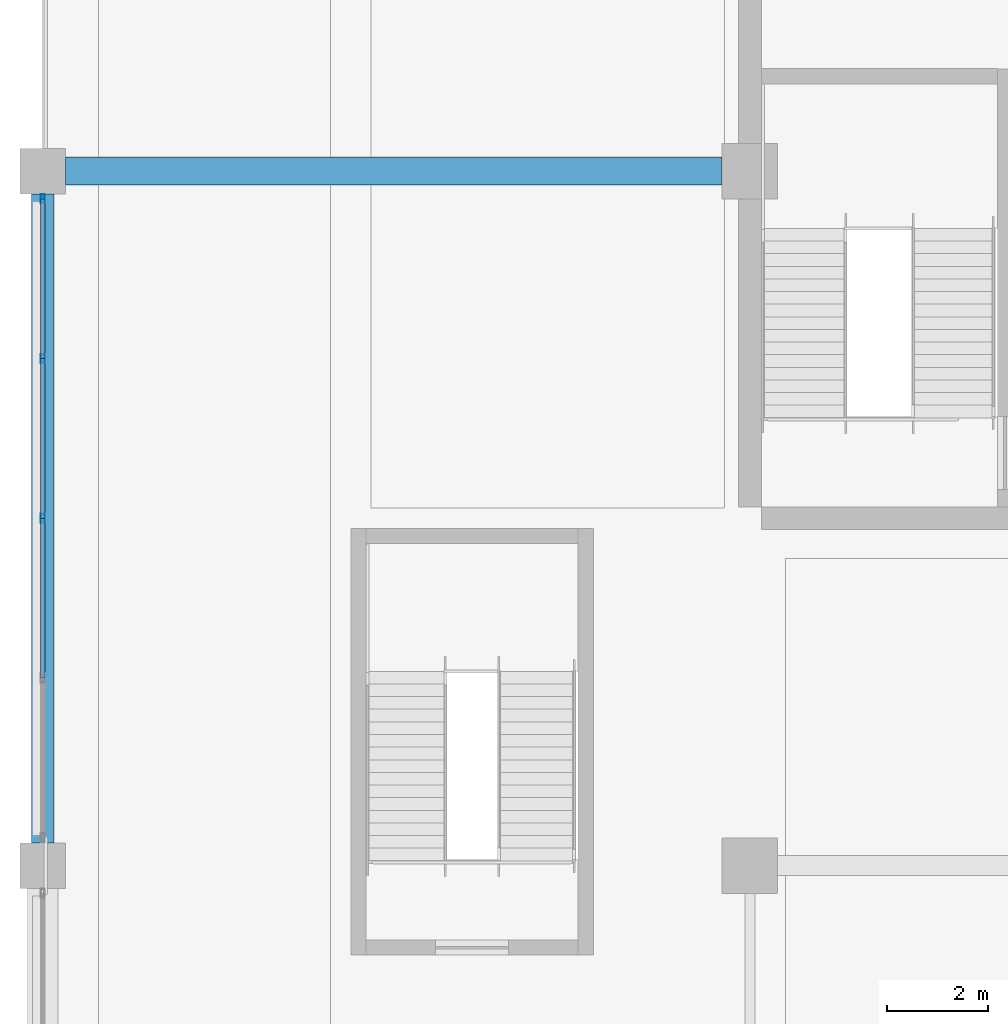
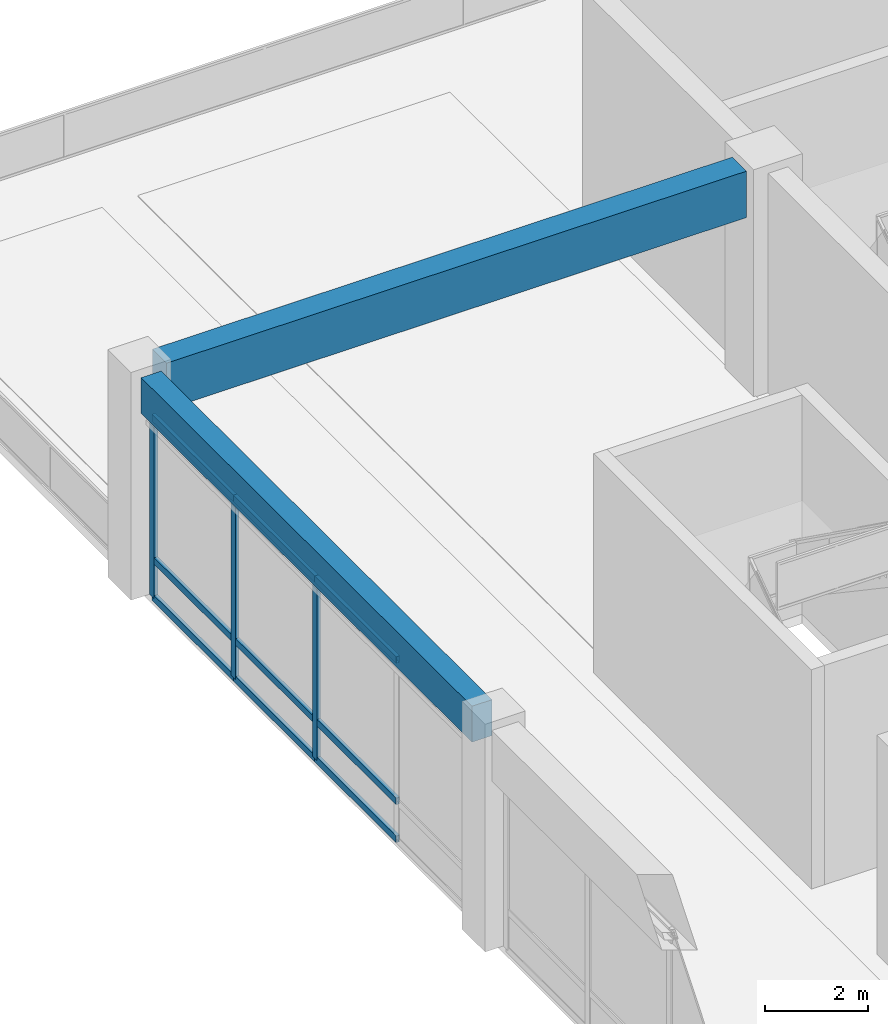
# One storey, part 62 of 117: 12 members, 2 beams, 1 element without a shape of its own.
"""IFC4 building model written with IfcOpenShell, lengths in metres."""

import ifcopenshell
import ifcopenshell.guid

model = None  # the IFC model being written
_history = None  # IfcOwnerHistory: only IFC2X3 demands one
_inside = {}  # id of a spatial element -> (the spatial element, [elements in it])
_under = {}  # id of a project, library or spatial element -> (it, [spatial elements below it])
_declared = {}  # id of a project -> (the project, [libraries it declares])
_typed = {}  # id of a type object -> (the type object, [elements of that type])
_made_of = {}  # id of a material, layer set ... -> (it, [elements and type objects made of it])


def new_model(schema):
    """Start an empty IFC model of exactly this schema.

    Asked for "IFC4X3", IfcOpenShell would pick the latest addendum, in which some entities
    have other attributes; the version numbers below select the first issue.
    IFC2X3 requires an IfcOwnerHistory on every rooted entity: one is made here for all.
    """
    global model, _history
    if schema == "IFC4X3":
        model = ifcopenshell.file(schema_version=(4, 3, 0, 0))
    else:
        model = ifcopenshell.file(schema=schema)
    _inside.clear()
    _under.clear()
    _declared.clear()
    _typed.clear()
    _made_of.clear()
    _history = None
    if model.schema == "IFC2X3":
        org = make("IfcOrganization", Name="unknown")
        user = make(
            "IfcPersonAndOrganization",
            ThePerson=make("IfcPerson", FamilyName="unknown"),
            TheOrganization=org,
        )
        app = make(
            "IfcApplication",
            ApplicationDeveloper=org,
            Version="unknown",
            ApplicationFullName="unknown",
            ApplicationIdentifier="unknown",
        )
        _history = make(
            "IfcOwnerHistory",
            OwningUser=user,
            OwningApplication=app,
            ChangeAction="ADDED",
            CreationDate=0,
        )
    return model


def make(cls, **values):
    """One entity of the class cls with the attributes given. An attribute that is None is left unset."""
    return model.create_entity(
        cls, **{name: value for name, value in values.items() if value is not None}
    )


def rooted(cls, **values):
    """An entity with a GlobalId (a new one), such as an element, a storey or a relation."""
    return make(cls, GlobalId=ifcopenshell.guid.new(), OwnerHistory=_history, **values)


def si_unit(unit_type, name, prefix=None):
    """IfcSIUnit, for example si_unit("LENGTHUNIT", "METRE", prefix="MILLI")."""
    return make("IfcSIUnit", UnitType=unit_type, Prefix=prefix, Name=name)


def assignment(units):
    """IfcUnitAssignment: the units of a project."""
    return None if units is None else make("IfcUnitAssignment", Units=units)


def point(xyz):
    """IfcCartesianPoint."""
    return None if xyz is None else make("IfcCartesianPoint", Coordinates=xyz)


def direction(xyz):
    """IfcDirection."""
    return None if xyz is None else make("IfcDirection", DirectionRatios=xyz)


def frame(location, z_axis=None, x_axis=None):
    """IfcAxis2Placement3D, a coordinate frame: its origin and axes. An axis left out is left unset."""
    return make(
        "IfcAxis2Placement3D",
        Location=point(location),
        Axis=direction(z_axis),
        RefDirection=direction(x_axis),
    )


def frame_2d(location, x_axis=None):
    """IfcAxis2Placement2D, a coordinate frame in the plane: its origin and x axis."""
    return make(
        "IfcAxis2Placement2D", Location=point(location), RefDirection=direction(x_axis)
    )


def origin():
    """The frame at (0, 0, 0) with its axes left unset."""
    return frame((0.0, 0.0, 0.0))


def origin_2d():
    """The frame at (0, 0) in the plane with its x axis left unset."""
    return frame_2d((0.0, 0.0))


def place(relative_to, where):
    """IfcLocalPlacement: puts the frame where relative to a parent placement (None: the world)."""
    return make(
        "IfcLocalPlacement", PlacementRelTo=relative_to, RelativePlacement=where
    )


def context(
    kind, dimensions, precision=None, world=None, true_north=None, identifier=None
):
    """IfcGeometricRepresentationContext, for example the 3D "Model" context."""
    return make(
        "IfcGeometricRepresentationContext",
        ContextIdentifier=identifier,
        ContextType=kind,
        CoordinateSpaceDimension=dimensions,
        Precision=precision,
        WorldCoordinateSystem=world,
        TrueNorth=true_north,
    )


def subcontext(parent, identifier, kind, view, scale=None):
    """IfcGeometricRepresentationSubContext, for example "Body" below "Model"."""
    return make(
        "IfcGeometricRepresentationSubContext",
        ContextIdentifier=identifier,
        ContextType=kind,
        ParentContext=parent,
        TargetScale=scale,
        TargetView=view,
    )


def project(units=None, contexts=None):
    """IfcProject with its units and contexts."""
    return rooted(
        "IfcProject",
        Name="project",
        RepresentationContexts=contexts,
        UnitsInContext=assignment(units),
    )


def spatial(cls, under=None, at=None, **own):
    """A site, building, storey or space (cls), placed at a placement, below another one or the project."""
    s = rooted(cls, ObjectPlacement=at, **own)
    if under is not None:
        _under.setdefault(under.id(), (under, []))[1].append(s)
    return s


def profile(cls, at=None, kind="AREA", **sizes):
    """A parametric profile (cls). Its sizes go by their IFC names, for example OverallWidth=200.0."""
    return make(cls, ProfileType=kind, Position=at, **sizes)


def rectangle(**sizes):
    """IfcRectangleProfileDef."""
    return profile("IfcRectangleProfileDef", **sizes)


def hollow_rectangle(**sizes):
    """IfcRectangleHollowProfileDef."""
    return profile("IfcRectangleHollowProfileDef", **sizes)


def extrude(swept, where, along, depth):
    """IfcExtrudedAreaSolid: the profile swept, set in the frame where, extruded along a direction by depth."""
    return make(
        "IfcExtrudedAreaSolid",
        SweptArea=swept,
        Position=where,
        ExtrudedDirection=direction(along),
        Depth=depth,
    )


def shape(context_of_items, identifier, shape_type, items):
    """IfcShapeRepresentation: the items that make up one representation, for example the "Body"."""
    return make(
        "IfcShapeRepresentation",
        ContextOfItems=context_of_items,
        RepresentationIdentifier=identifier,
        RepresentationType=shape_type,
        Items=items,
    )


def material(Name=None, Category=None):
    """IfcMaterial."""
    return make("IfcMaterial", Name=Name, Category=Category)


def material_profile(
    of_material, cross_section, Name=None, Category=None, Priority=None
):
    """IfcMaterialProfile: a cross section and its material."""
    return make(
        "IfcMaterialProfile",
        Name=Name,
        Material=of_material,
        Profile=cross_section,
        Priority=Priority,
        Category=Category,
    )


def profile_set(profiles, Name=None, composite=None):
    """IfcMaterialProfileSet."""
    return make(
        "IfcMaterialProfileSet",
        Name=Name,
        MaterialProfiles=profiles,
        CompositeProfile=composite,
    )


def made_of(thing, what):
    """Note that an element or type object is made of a material, layer set ...; save() writes the relation."""
    if what is not None:
        _made_of.setdefault(what.id(), (what, []))[1].append(thing)
    return thing


def type_object(cls, material=None, **own):
    """A type object (cls), such as IfcWallType, which elements share."""
    return made_of(rooted(cls, **own), material)


def element(
    cls,
    number,
    at=None,
    inside=None,
    cuts=None,
    type_object=None,
    material=None,
    context=None,
    identifier="Body",
    shape_type=None,
    held_by="IfcProductDefinitionShape",
    body=None,
    shapes=None,
    **own,
):
    """One element of the class cls, such as IfcWall. Its Tag is "e" and its number.

    at: its placement. inside: the storey or other place that contains it. cuts: it is an
    opening in that element (IfcRelVoidsElement). A single representation is given by context,
    identifier, shape_type and body (its items); several are given by shapes. held_by: the class
    of the entity that holds the representations. save() writes the other relations.
    """
    e = rooted(cls, Tag="e%d" % number, ObjectPlacement=at, **own)
    if body is not None:
        shapes = [shape(context, identifier, shape_type, body)]
    if shapes is not None:
        e.Representation = make(held_by, Representations=shapes)
    if inside is not None:
        _inside.setdefault(inside.id(), (inside, []))[1].append(e)
    if cuts is not None:
        rooted(
            "IfcRelVoidsElement", RelatingBuildingElement=cuts, RelatedOpeningElement=e
        )
    if type_object is not None:
        _typed.setdefault(type_object.id(), (type_object, []))[1].append(e)
    return made_of(e, material)


def aggregate(whole, parts):
    """IfcRelAggregates: a whole, such as a stair, and the parts it consists of."""
    return rooted("IfcRelAggregates", RelatingObject=whole, RelatedObjects=parts)


def save(model, path):
    """Write the relations noted so far, then the file.

    IfcRelAggregates (storeys below a building ...), IfcRelContainedInSpatialStructure (elements
    in a storey), IfcRelDefinesByType, IfcRelAssociatesMaterial and IfcRelDeclares: one each for
    every whole, place, type object, material and project.
    """
    for whole, parts in _under.values():
        aggregate(whole, parts)
    for where, things in _inside.values():
        rooted(
            "IfcRelContainedInSpatialStructure",
            RelatedElements=things,
            RelatingStructure=where,
        )
    for kind, things in _typed.values():
        rooted("IfcRelDefinesByType", RelatedObjects=things, RelatingType=kind)
    for what, things in _made_of.values():
        rooted("IfcRelAssociatesMaterial", RelatedObjects=things, RelatingMaterial=what)
    for by, libraries in _declared.values():
        rooted("IfcRelDeclares", RelatingContext=by, RelatedDefinitions=libraries)
    model.write(path)


model = new_model("IFC4")

# Units and contexts
model_context = context("Model", 3, precision=1e-05, world=origin(), true_north=direction((0.0, 1.0)))
body_context = subcontext(model_context, "Body", "Model", "MODEL_VIEW")
ifc_project = project(units=[si_unit("LENGTHUNIT", "METRE"), si_unit("AREAUNIT", "SQUARE_METRE"), si_unit("VOLUMEUNIT", "CUBIC_METRE"), si_unit("PLANEANGLEUNIT", "RADIAN"), si_unit("MASSUNIT", "GRAM", prefix="KILO")], contexts=[model_context])

# Site, building, storey
site_placement = place(None, origin())
site = spatial("IfcSite", under=ifc_project, at=site_placement, CompositionType="ELEMENT")
building_placement = place(site_placement, origin())
building = spatial("IfcBuilding", under=site, at=building_placement, Name="Linyun Crest Stadium", CompositionType="ELEMENT")
storey_placement = place(building_placement, frame((0.0, 0.0, 6.0)))
storey = spatial("IfcBuildingStorey", under=building, at=storey_placement, Name="L02", CompositionType="ELEMENT", Elevation=6.0)

# Beam
ifc_material_1 = material(Name="Concrete C40", Category="concrete")
ifc_material_profile_1 = material_profile(ifc_material_1, rectangle(XDim=0.449951171875, YDim=0.85009765625, at=origin_2d()), Name="RCB 850x450")
ifc_profile_set_1 = profile_set([ifc_material_profile_1], Name="Concrete C40")
beam_type_1 = type_object("IfcBeamType", Name="B04", PredefinedType="BEAM", material=ifc_profile_set_1)
beam_1_placement = place(storey_placement, frame((-98.0, 30.074951171875, 4.77490234375), z_axis=(0.0, 1.0, 0.0), x_axis=(-1.0, 0.0, 0.0)))
element("IfcBeam", 1, at=beam_1_placement, inside=storey, type_object=beam_type_1, Name="Frame beam B04 L02 204", PredefinedType="BEAM", context=body_context, shape_type="SweptSolid", body=[
    extrude(rectangle(XDim=0.449951171875, YDim=0.85009765625, at=origin_2d()), origin(), (0.0, 0.0, 1.0), 12.85009765625),
])

# Curtain wall, members
ifc_material_2 = material(Name="Verdigris steel and low-E curtain wall assembly", Category="steel")
curtain_wall_type = type_object("IfcCurtainWallType", Name="MCW01", PredefinedType="NOTDEFINED", material=ifc_material_2)
curtain_wall_placement = place(storey_placement, origin())
curtain_wall = element("IfcCurtainWall", 2, at=curtain_wall_placement, inside=storey, type_object=curtain_wall_type, Name="CWR-118", PredefinedType="NOTDEFINED")
ifc_material_3 = material(Name="Verdigris painted steel Q355B mullion", Category="steel")
ifc_material_profile_2 = material_profile(ifc_material_3, hollow_rectangle(XDim=0.080078125, YDim=0.179931640625, WallThickness=0.006103515625, at=origin_2d()), Name="RHS 180x80x6")
ifc_profile_set_2 = profile_set([ifc_material_profile_2], Name="Verdigris painted steel Q355B mullion")
member_type_1 = type_object("IfcMemberType", Name="ML02", PredefinedType="MULLION", material=ifc_profile_set_2)
member_1_placement = place(storey_placement, frame((-98.0, 36.5, 0.0), z_axis=(0.0, 0.0, 1.0), x_axis=(-1.0, 0.0, 0.0)))
member_1 = element("IfcMember", 3, at=member_1_placement, type_object=member_type_1, Name="CWR-118 mullion 3", PredefinedType="MULLION", context=body_context, shape_type="SweptSolid", body=[
    extrude(hollow_rectangle(XDim=0.080078125, YDim=0.179931640625, WallThickness=0.006103515625, at=origin_2d()), origin(), (0.0, 0.0, 1.0), 4.25),
])
member_2_placement = place(storey_placement, frame((-98.0, 39.662109375, 0.0), z_axis=(0.0, 0.0, 1.0), x_axis=(-1.0, 0.0, 0.0)))
member_2 = element("IfcMember", 4, at=member_2_placement, type_object=member_type_1, Name="CWR-118 mullion 4", PredefinedType="MULLION", context=body_context, shape_type="SweptSolid", body=[
    extrude(hollow_rectangle(XDim=0.080078125, YDim=0.179931640625, WallThickness=0.006103515625, at=origin_2d()), origin(), (0.0, 0.0, 1.0), 4.25),
])
member_3_placement = place(storey_placement, frame((-98.0, 42.824951171875, 0.0), z_axis=(0.0, 0.0, 1.0), x_axis=(-1.0, 0.0, 0.0)))
member_3 = element("IfcMember", 5, at=member_3_placement, type_object=member_type_1, Name="CWR-118 mullion 5", PredefinedType="MULLION", context=body_context, shape_type="SweptSolid", body=[
    extrude(hollow_rectangle(XDim=0.080078125, YDim=0.179931640625, WallThickness=0.006103515625, at=origin_2d()), origin(), (0.0, 0.0, 1.0), 4.25),
])

# Beam
ifc_material_4 = material(Name="Concrete C50", Category="concrete")
ifc_material_profile_3 = material_profile(ifc_material_4, rectangle(XDim=0.550048828125, YDim=1.10009765625, at=origin_2d()), Name="RCB 1100x550")
ifc_profile_set_3 = profile_set([ifc_material_profile_3], Name="Concrete C50")
beam_type_2 = type_object("IfcBeamType", Name="TB01", PredefinedType="USERDEFINED", material=ifc_profile_set_3)
beam_2_placement = place(storey_placement, frame((-97.550048828125, 43.375, 4.64990234375), z_axis=(1.0, 0.0, 0.0), x_axis=(0.0, 1.0, 0.0)))
element("IfcBeam", 6, at=beam_2_placement, inside=storey, type_object=beam_type_2, Name="Frame beam TB01 L02 194", ObjectType="GIRDER", PredefinedType="USERDEFINED", context=body_context, shape_type="SweptSolid", body=[
    extrude(rectangle(XDim=0.550048828125, YDim=1.10009765625, at=origin_2d()), origin(), (0.0, 0.0, 1.0), 13.0),
])

# Member
ifc_material_5 = material(Name="Aluminium thermally broken transom", Category="aluminium")
ifc_material_profile_4 = material_profile(ifc_material_5, hollow_rectangle(XDim=0.080078125, YDim=0.159912109375, WallThickness=0.006103515625, at=origin_2d()), Name="RHS 160x80x6")
ifc_profile_set_4 = profile_set([ifc_material_profile_4], Name="Aluminium thermally broken transom")
member_type_2 = type_object("IfcMemberType", Name="TR01", PredefinedType="USERDEFINED", material=ifc_profile_set_4)
member_4_placement = place(storey_placement, frame((-98.0, 33.337890625, 0.0), z_axis=(0.0, 1.0, 0.0), x_axis=(-1.0, 0.0, 0.0)))
member_4 = element("IfcMember", 7, at=member_4_placement, type_object=member_type_2, Name="CWR-118 transom 2.1", ObjectType="TRANSOM", PredefinedType="USERDEFINED", context=body_context, shape_type="SweptSolid", body=[
    extrude(hollow_rectangle(XDim=0.080078125, YDim=0.159912109375, WallThickness=0.006103515625, at=origin_2d()), origin(), (0.0, 0.0, 1.0), 3.162109375),
])

member_5_placement = place(storey_placement, frame((-98.0, 33.337890625, 0.89990234375), z_axis=(0.0, 1.0, 0.0), x_axis=(-1.0, 0.0, 0.0)))
member_5 = element("IfcMember", 8, at=member_5_placement, type_object=member_type_2, Name="CWR-118 transom 2.2", ObjectType="TRANSOM", PredefinedType="USERDEFINED", context=body_context, shape_type="SweptSolid", body=[
    extrude(hollow_rectangle(XDim=0.080078125, YDim=0.159912109375, WallThickness=0.006103515625, at=origin_2d()), origin(), (0.0, 0.0, 1.0), 3.162109375),
])

member_6_placement = place(storey_placement, frame((-98.0, 33.337890625, 4.25), z_axis=(0.0, 1.0, 0.0), x_axis=(-1.0, 0.0, 0.0)))
member_6 = element("IfcMember", 9, at=member_6_placement, type_object=member_type_2, Name="CWR-118 transom 2.3", ObjectType="TRANSOM", PredefinedType="USERDEFINED", context=body_context, shape_type="SweptSolid", body=[
    extrude(hollow_rectangle(XDim=0.080078125, YDim=0.159912109375, WallThickness=0.006103515625, at=origin_2d()), origin(), (0.0, 0.0, 1.0), 3.162109375),
])

member_7_placement = place(storey_placement, frame((-98.0, 36.5, 0.0), z_axis=(0.0, 1.0, 0.0), x_axis=(-1.0, 0.0, 0.0)))
member_7 = element("IfcMember", 10, at=member_7_placement, type_object=member_type_2, Name="CWR-118 transom 3.1", ObjectType="TRANSOM", PredefinedType="USERDEFINED", context=body_context, shape_type="SweptSolid", body=[
    extrude(hollow_rectangle(XDim=0.080078125, YDim=0.159912109375, WallThickness=0.006103515625, at=origin_2d()), origin(), (0.0, 0.0, 1.0), 3.162109375),
])

member_8_placement = place(storey_placement, frame((-98.0, 36.5, 0.89990234375), z_axis=(0.0, 1.0, 0.0), x_axis=(-1.0, 0.0, 0.0)))
member_8 = element("IfcMember", 11, at=member_8_placement, type_object=member_type_2, Name="CWR-118 transom 3.2", ObjectType="TRANSOM", PredefinedType="USERDEFINED", context=body_context, shape_type="SweptSolid", body=[
    extrude(hollow_rectangle(XDim=0.080078125, YDim=0.159912109375, WallThickness=0.006103515625, at=origin_2d()), origin(), (0.0, 0.0, 1.0), 3.162109375),
])

member_9_placement = place(storey_placement, frame((-98.0, 36.5, 4.25), z_axis=(0.0, 1.0, 0.0), x_axis=(-1.0, 0.0, 0.0)))
member_9 = element("IfcMember", 12, at=member_9_placement, type_object=member_type_2, Name="CWR-118 transom 3.3", ObjectType="TRANSOM", PredefinedType="USERDEFINED", context=body_context, shape_type="SweptSolid", body=[
    extrude(hollow_rectangle(XDim=0.080078125, YDim=0.159912109375, WallThickness=0.006103515625, at=origin_2d()), origin(), (0.0, 0.0, 1.0), 3.162109375),
])

member_10_placement = place(storey_placement, frame((-98.0, 39.662109375, 0.0), z_axis=(0.0, 1.0, 0.0), x_axis=(-1.0, 0.0, 0.0)))
member_10 = element("IfcMember", 13, at=member_10_placement, type_object=member_type_2, Name="CWR-118 transom 4.1", ObjectType="TRANSOM", PredefinedType="USERDEFINED", context=body_context, shape_type="SweptSolid", body=[
    extrude(hollow_rectangle(XDim=0.080078125, YDim=0.159912109375, WallThickness=0.006103515625, at=origin_2d()), origin(), (0.0, 0.0, 1.0), 3.162841796875),
])

member_11_placement = place(storey_placement, frame((-98.0, 39.662109375, 0.89990234375), z_axis=(0.0, 1.0, 0.0), x_axis=(-1.0, 0.0, 0.0)))
member_11 = element("IfcMember", 14, at=member_11_placement, type_object=member_type_2, Name="CWR-118 transom 4.2", ObjectType="TRANSOM", PredefinedType="USERDEFINED", context=body_context, shape_type="SweptSolid", body=[
    extrude(hollow_rectangle(XDim=0.080078125, YDim=0.159912109375, WallThickness=0.006103515625, at=origin_2d()), origin(), (0.0, 0.0, 1.0), 3.162841796875),
])

member_12_placement = place(storey_placement, frame((-98.0, 39.662109375, 4.25), z_axis=(0.0, 1.0, 0.0), x_axis=(-1.0, 0.0, 0.0)))
member_12 = element("IfcMember", 15, at=member_12_placement, type_object=member_type_2, Name="CWR-118 transom 4.3", ObjectType="TRANSOM", PredefinedType="USERDEFINED", context=body_context, shape_type="SweptSolid", body=[
    extrude(hollow_rectangle(XDim=0.080078125, YDim=0.159912109375, WallThickness=0.006103515625, at=origin_2d()), origin(), (0.0, 0.0, 1.0), 3.162841796875),
])

aggregate(curtain_wall, [member_1, member_2, member_3, member_4, member_5, member_6, member_7, member_8, member_9, member_10, member_11, member_12])

save(model, "model.ifc")
